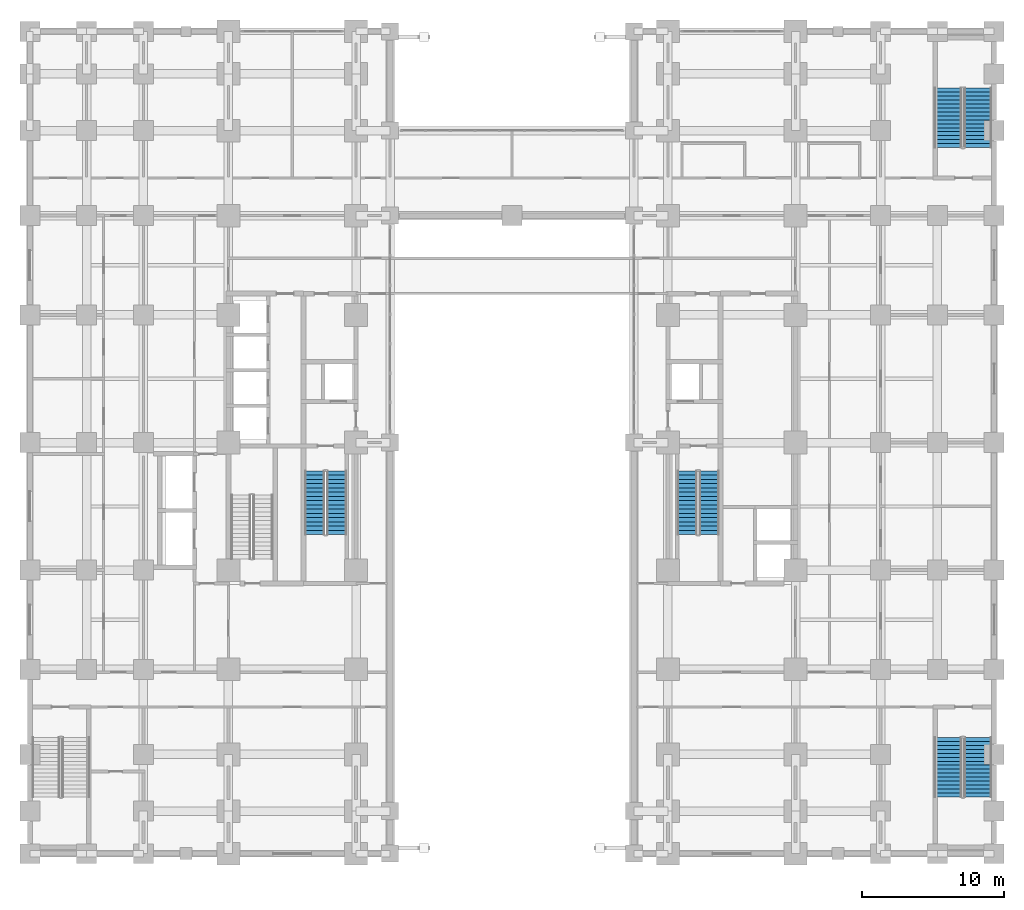
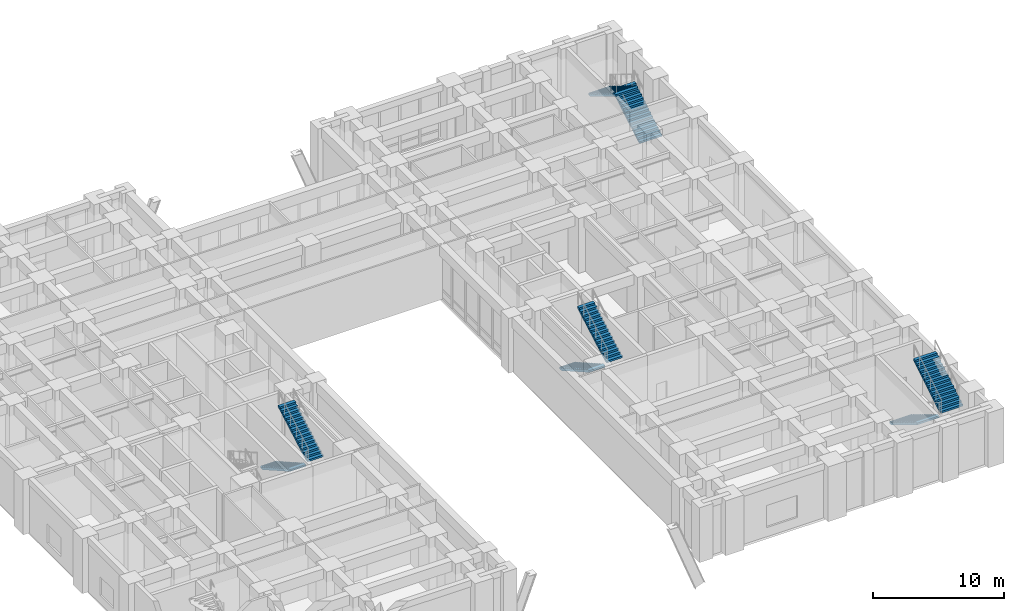
# One storey, part 17 of 23: 8 stair flights, 4 elements without a shape of their own.
"""IFC4 building model written with IfcOpenShell, lengths in metres."""

from ifc_helpers import new_model, si_unit, direction, frame, origin, place, context, subcontext, project, spatial, polyline, outline, extrude, material, layer, layer_set, type_object, element, aggregate, save


model = new_model("IFC4")

# Units and contexts
model_context = context("Model", 3, precision=1e-05, world=origin(), true_north=direction((0.0, 1.0)))
body_context = subcontext(model_context, "Body", "Model", "MODEL_VIEW")
ifc_project = project(units=[si_unit("LENGTHUNIT", "METRE"), si_unit("AREAUNIT", "SQUARE_METRE"), si_unit("VOLUMEUNIT", "CUBIC_METRE"), si_unit("PLANEANGLEUNIT", "RADIAN"), si_unit("MASSUNIT", "GRAM", prefix="KILO")], contexts=[model_context])

# Site, building, storey
site_placement = place(None, origin())
site = spatial("IfcSite", under=ifc_project, at=site_placement, CompositionType="ELEMENT")
building_placement = place(site_placement, origin())
building = spatial("IfcBuilding", under=site, at=building_placement, Name="Zulmaris Gate Convention Tower", CompositionType="ELEMENT")
storey_placement = place(building_placement, frame((0.0, 0.0, 10.8798828125)))
storey = spatial("IfcBuildingStorey", under=building, at=storey_placement, Name="L02", CompositionType="ELEMENT", Elevation=10.8798828125)

# Stair, stair flights
ifc_material = material(Name="Concrete C45/55", Category="concrete")
stair_type_1 = type_object("IfcStairType", Name="ST-CORE-DOGLEG", PredefinedType="HALF_TURN_STAIR", material=ifc_material)
stair_1_placement = place(storey_placement, origin())
stair_1 = element("IfcStair", 1, at=stair_1_placement, inside=storey, type_object=stair_type_1, Name="L02 Core Exit Stair ST-1", PredefinedType="HALF_TURN_STAIR")
ifc_layer_1 = layer(ifc_material, 0.14990234375, Name="Concrete C45/55")
ifc_layer_set_1 = layer_set([ifc_layer_1], Name="Concrete C45/55")
stair_flight_type_1 = type_object("IfcStairFlightType", Name="STF-RC150", PredefinedType="STRAIGHT", material=ifc_layer_set_1)
stair_flight_1_placement = place(storey_placement, frame((-13.919921875, -2.0, 0.0), z_axis=(0.0, 0.0, 1.0), x_axis=(0.0, -1.0, 0.0)))
stair_flight_1 = element("IfcStairFlight", 2, at=stair_flight_1_placement, type_object=stair_flight_type_1, Name="ST-1 flight 1", NumberOfRisers=16, NumberOfTreads=15, PredefinedType="STRAIGHT", RiserHeight=0.17000625, TreadLength=0.3, context=body_context, shape_type="SweptSolid", body=[
    extrude(outline(polyline([(0.0, 0.0), (0.0, 0.169921875), (0.300048828125, 0.169921875), (0.300048828125, 0.340087890625), (0.60009765625, 0.340087890625), (0.60009765625, 0.510009765625), (0.89990234375, 0.510009765625), (0.89990234375, 0.679931640625), (1.199951171875, 0.679931640625), (1.199951171875, 0.85009765625), (1.5, 0.85009765625), (1.5, 1.02001953125), (1.800048828125, 1.02001953125), (1.800048828125, 1.18994140625), (2.10009765625, 1.18994140625), (2.10009765625, 1.360107421875), (2.39990234375, 1.360107421875), (2.39990234375, 1.530029296875), (2.699951171875, 1.530029296875), (2.699951171875, 1.699951171875), (3.0, 1.699951171875), (3.0, 1.8701171875), (3.300048828125, 1.8701171875), (3.300048828125, 2.0400390625), (3.60009765625, 2.0400390625), (3.60009765625, 2.2099609375), (3.89990234375, 2.2099609375), (3.89990234375, 2.380126953125), (4.199951171875, 2.380126953125), (4.199951171875, 2.550048828125), (4.5, 2.550048828125), (4.5, 2.72021484375), (4.5, 2.377685546875), (0.303955078125, 0.0), (0.0, 0.0)])), frame((0.0, 0.699951171875, 0.0), z_axis=(0.0, -1.0, 0.0), x_axis=(1.0, 0.0, 0.0)), (0.0, 0.0, 1.0), 1.39990234375),
])
stair_flight_2_placement = place(storey_placement, frame((-12.360107421875, -6.5, 2.72021484375), z_axis=(0.0, 0.0, 1.0), x_axis=(0.0, 1.0, 0.0)))
stair_flight_2 = element("IfcStairFlight", 3, at=stair_flight_2_placement, type_object=stair_flight_type_1, Name="ST-1 flight 2", NumberOfRisers=16, NumberOfTreads=15, PredefinedType="STRAIGHT", RiserHeight=0.17000625, TreadLength=0.3, context=body_context, shape_type="SweptSolid", body=[
    extrude(outline(polyline([(0.0, 0.0), (0.0, 0.169921875), (0.300048828125, 0.169921875), (0.300048828125, 0.340087890625), (0.60009765625, 0.340087890625), (0.60009765625, 0.510009765625), (0.89990234375, 0.510009765625), (0.89990234375, 0.679931640625), (1.199951171875, 0.679931640625), (1.199951171875, 0.85009765625), (1.5, 0.85009765625), (1.5, 1.02001953125), (1.800048828125, 1.02001953125), (1.800048828125, 1.18994140625), (2.10009765625, 1.18994140625), (2.10009765625, 1.360107421875), (2.39990234375, 1.360107421875), (2.39990234375, 1.530029296875), (2.699951171875, 1.530029296875), (2.699951171875, 1.699951171875), (3.0, 1.699951171875), (3.0, 1.8701171875), (3.300048828125, 1.8701171875), (3.300048828125, 2.0400390625), (3.60009765625, 2.0400390625), (3.60009765625, 2.2099609375), (3.89990234375, 2.2099609375), (3.89990234375, 2.380126953125), (4.199951171875, 2.380126953125), (4.199951171875, 2.550048828125), (4.5, 2.550048828125), (4.5, 2.72021484375), (4.5, 2.377685546875), (0.303955078125, 0.0), (0.0, 0.0)])), frame((0.0, 0.699951171875, 0.0), z_axis=(0.0, -1.0, 0.0), x_axis=(1.0, 0.0, 0.0)), (0.0, 0.0, 1.0), 1.39990234375),
])
aggregate(stair_1, [stair_flight_1, stair_flight_2])

stair_2_placement = place(storey_placement, origin())
stair_2 = element("IfcStair", 4, at=stair_2_placement, inside=storey, type_object=stair_type_1, Name="L02 Core Exit Stair ST-2", PredefinedType="HALF_TURN_STAIR")
stair_flight_3_placement = place(storey_placement, frame((12.360107421875, -2.0, 0.0), z_axis=(0.0, 0.0, 1.0), x_axis=(0.0, -1.0, 0.0)))
stair_flight_3 = element("IfcStairFlight", 5, at=stair_flight_3_placement, type_object=stair_flight_type_1, Name="ST-2 flight 1", NumberOfRisers=16, NumberOfTreads=15, PredefinedType="STRAIGHT", RiserHeight=0.17000625, TreadLength=0.3, context=body_context, shape_type="SweptSolid", body=[
    extrude(outline(polyline([(0.0, 0.0), (0.0, 0.169921875), (0.300048828125, 0.169921875), (0.300048828125, 0.340087890625), (0.60009765625, 0.340087890625), (0.60009765625, 0.510009765625), (0.89990234375, 0.510009765625), (0.89990234375, 0.679931640625), (1.199951171875, 0.679931640625), (1.199951171875, 0.85009765625), (1.5, 0.85009765625), (1.5, 1.02001953125), (1.800048828125, 1.02001953125), (1.800048828125, 1.18994140625), (2.10009765625, 1.18994140625), (2.10009765625, 1.360107421875), (2.39990234375, 1.360107421875), (2.39990234375, 1.530029296875), (2.699951171875, 1.530029296875), (2.699951171875, 1.699951171875), (3.0, 1.699951171875), (3.0, 1.8701171875), (3.300048828125, 1.8701171875), (3.300048828125, 2.0400390625), (3.60009765625, 2.0400390625), (3.60009765625, 2.2099609375), (3.89990234375, 2.2099609375), (3.89990234375, 2.380126953125), (4.199951171875, 2.380126953125), (4.199951171875, 2.550048828125), (4.5, 2.550048828125), (4.5, 2.72021484375), (4.5, 2.377685546875), (0.303955078125, 0.0), (0.0, 0.0)])), frame((0.0, 0.699951171875, 0.0), z_axis=(0.0, -1.0, 0.0), x_axis=(1.0, 0.0, 0.0)), (0.0, 0.0, 1.0), 1.39990234375),
])
stair_flight_4_placement = place(storey_placement, frame((13.919921875, -6.5, 2.72021484375), z_axis=(0.0, 0.0, 1.0), x_axis=(0.0, 1.0, 0.0)))
stair_flight_4 = element("IfcStairFlight", 6, at=stair_flight_4_placement, type_object=stair_flight_type_1, Name="ST-2 flight 2", NumberOfRisers=16, NumberOfTreads=15, PredefinedType="STRAIGHT", RiserHeight=0.17000625, TreadLength=0.3, context=body_context, shape_type="SweptSolid", body=[
    extrude(outline(polyline([(0.0, 0.0), (0.0, 0.169921875), (0.300048828125, 0.169921875), (0.300048828125, 0.340087890625), (0.60009765625, 0.340087890625), (0.60009765625, 0.510009765625), (0.89990234375, 0.510009765625), (0.89990234375, 0.679931640625), (1.199951171875, 0.679931640625), (1.199951171875, 0.85009765625), (1.5, 0.85009765625), (1.5, 1.02001953125), (1.800048828125, 1.02001953125), (1.800048828125, 1.18994140625), (2.10009765625, 1.18994140625), (2.10009765625, 1.360107421875), (2.39990234375, 1.360107421875), (2.39990234375, 1.530029296875), (2.699951171875, 1.530029296875), (2.699951171875, 1.699951171875), (3.0, 1.699951171875), (3.0, 1.8701171875), (3.300048828125, 1.8701171875), (3.300048828125, 2.0400390625), (3.60009765625, 2.0400390625), (3.60009765625, 2.2099609375), (3.89990234375, 2.2099609375), (3.89990234375, 2.380126953125), (4.199951171875, 2.380126953125), (4.199951171875, 2.550048828125), (4.5, 2.550048828125), (4.5, 2.72021484375), (4.5, 2.377685546875), (0.303955078125, 0.0), (0.0, 0.0)])), frame((0.0, 0.699951171875, 0.0), z_axis=(0.0, -1.0, 0.0), x_axis=(1.0, 0.0, 0.0)), (0.0, 0.0, 1.0), 1.39990234375),
])
aggregate(stair_2, [stair_flight_3, stair_flight_4])

stair_type_2 = type_object("IfcStairType", Name="ST-POD-DOGLEG", PredefinedType="HALF_TURN_STAIR", material=ifc_material)
stair_3_placement = place(storey_placement, origin())
stair_3 = element("IfcStair", 7, at=stair_3_placement, inside=storey, type_object=stair_type_2, Name="L02 Podium Exit Stair ST-5", PredefinedType="HALF_TURN_STAIR")
ifc_layer_2 = layer(ifc_material, 0.159912109375, Name="Concrete C45/55")
ifc_layer_set_2 = layer_set([ifc_layer_2], Name="Concrete C45/55")
stair_flight_type_2 = type_object("IfcStairFlightType", Name="STF-RC195", PredefinedType="STRAIGHT", material=ifc_layer_set_2)
stair_flight_5_placement = place(storey_placement, frame((32.85498046875, 20.800048828125, 0.0), z_axis=(0.0, 0.0, 1.0), x_axis=(0.0, 1.0, 0.0)))
stair_flight_5 = element("IfcStairFlight", 8, at=stair_flight_5_placement, type_object=stair_flight_type_2, Name="ST-5 flight 1", NumberOfRisers=16, NumberOfTreads=15, PredefinedType="STRAIGHT", RiserHeight=0.17000625, TreadLength=0.28, context=body_context, shape_type="SweptSolid", body=[
    extrude(outline(polyline([(0.0, 0.0), (0.0, 0.169921875), (0.280029296875, 0.169921875), (0.280029296875, 0.340087890625), (0.56005859375, 0.340087890625), (0.56005859375, 0.510009765625), (0.840087890625, 0.510009765625), (0.840087890625, 0.679931640625), (1.1201171875, 0.679931640625), (1.1201171875, 0.85009765625), (1.39990234375, 0.85009765625), (1.39990234375, 1.02001953125), (1.679931640625, 1.02001953125), (1.679931640625, 1.18994140625), (1.9599609375, 1.18994140625), (1.9599609375, 1.360107421875), (2.239990234375, 1.360107421875), (2.239990234375, 1.530029296875), (2.52001953125, 1.530029296875), (2.52001953125, 1.699951171875), (2.800048828125, 1.699951171875), (2.800048828125, 1.8701171875), (3.080078125, 1.8701171875), (3.080078125, 2.0400390625), (3.360107421875, 2.0400390625), (3.360107421875, 2.2099609375), (3.639892578125, 2.2099609375), (3.639892578125, 2.380126953125), (3.919921875, 2.380126953125), (3.919921875, 2.550048828125), (4.199951171875, 2.550048828125), (4.199951171875, 2.72021484375), (4.199951171875, 2.374755859375), (0.288818359375, 0.0), (0.0, 0.0)])), frame((0.0, 0.97509765625, 0.0), z_axis=(0.0, -1.0, 0.0), x_axis=(1.0, 0.0, 0.0)), (0.0, 0.0, 1.0), 1.949951171875),
])
stair_flight_6_placement = place(storey_placement, frame((30.7548828125, 25.0, 2.72021484375), z_axis=(0.0, 0.0, 1.0), x_axis=(0.0, -1.0, 0.0)))
stair_flight_6 = element("IfcStairFlight", 9, at=stair_flight_6_placement, type_object=stair_flight_type_2, Name="ST-5 flight 2", NumberOfRisers=16, NumberOfTreads=15, PredefinedType="STRAIGHT", RiserHeight=0.17000625, TreadLength=0.28, context=body_context, shape_type="SweptSolid", body=[
    extrude(outline(polyline([(0.0, 0.0), (0.0, 0.169921875), (0.280029296875, 0.169921875), (0.280029296875, 0.340087890625), (0.56005859375, 0.340087890625), (0.56005859375, 0.510009765625), (0.840087890625, 0.510009765625), (0.840087890625, 0.679931640625), (1.1201171875, 0.679931640625), (1.1201171875, 0.85009765625), (1.39990234375, 0.85009765625), (1.39990234375, 1.02001953125), (1.679931640625, 1.02001953125), (1.679931640625, 1.18994140625), (1.9599609375, 1.18994140625), (1.9599609375, 1.360107421875), (2.239990234375, 1.360107421875), (2.239990234375, 1.530029296875), (2.52001953125, 1.530029296875), (2.52001953125, 1.699951171875), (2.800048828125, 1.699951171875), (2.800048828125, 1.8701171875), (3.080078125, 1.8701171875), (3.080078125, 2.0400390625), (3.360107421875, 2.0400390625), (3.360107421875, 2.2099609375), (3.639892578125, 2.2099609375), (3.639892578125, 2.380126953125), (3.919921875, 2.380126953125), (3.919921875, 2.550048828125), (4.199951171875, 2.550048828125), (4.199951171875, 2.72021484375), (4.199951171875, 2.374755859375), (0.288818359375, 0.0), (0.0, 0.0)])), frame((0.0, 0.97509765625, 0.0), z_axis=(0.0, -1.0, 0.0), x_axis=(1.0, 0.0, 0.0)), (0.0, 0.0, 1.0), 1.949951171875),
])
aggregate(stair_3, [stair_flight_5, stair_flight_6])

stair_4_placement = place(storey_placement, origin())
stair_4 = element("IfcStair", 10, at=stair_4_placement, inside=storey, type_object=stair_type_2, Name="L02 Podium Exit Stair ST-6", PredefinedType="HALF_TURN_STAIR")
stair_flight_7_placement = place(storey_placement, frame((30.7548828125, -20.800048828125, 0.0), z_axis=(0.0, 0.0, 1.0), x_axis=(0.0, -1.0, 0.0)))
stair_flight_7 = element("IfcStairFlight", 11, at=stair_flight_7_placement, type_object=stair_flight_type_2, Name="ST-6 flight 1", NumberOfRisers=16, NumberOfTreads=15, PredefinedType="STRAIGHT", RiserHeight=0.17000625, TreadLength=0.28, context=body_context, shape_type="SweptSolid", body=[
    extrude(outline(polyline([(0.0, 0.0), (0.0, 0.169921875), (0.280029296875, 0.169921875), (0.280029296875, 0.340087890625), (0.56005859375, 0.340087890625), (0.56005859375, 0.510009765625), (0.840087890625, 0.510009765625), (0.840087890625, 0.679931640625), (1.1201171875, 0.679931640625), (1.1201171875, 0.85009765625), (1.39990234375, 0.85009765625), (1.39990234375, 1.02001953125), (1.679931640625, 1.02001953125), (1.679931640625, 1.18994140625), (1.9599609375, 1.18994140625), (1.9599609375, 1.360107421875), (2.239990234375, 1.360107421875), (2.239990234375, 1.530029296875), (2.52001953125, 1.530029296875), (2.52001953125, 1.699951171875), (2.800048828125, 1.699951171875), (2.800048828125, 1.8701171875), (3.080078125, 1.8701171875), (3.080078125, 2.0400390625), (3.360107421875, 2.0400390625), (3.360107421875, 2.2099609375), (3.639892578125, 2.2099609375), (3.639892578125, 2.380126953125), (3.919921875, 2.380126953125), (3.919921875, 2.550048828125), (4.199951171875, 2.550048828125), (4.199951171875, 2.72021484375), (4.199951171875, 2.374755859375), (0.288818359375, 0.0), (0.0, 0.0)])), frame((0.0, 0.97509765625, 0.0), z_axis=(0.0, -1.0, 0.0), x_axis=(1.0, 0.0, 0.0)), (0.0, 0.0, 1.0), 1.949951171875),
])
stair_flight_8_placement = place(storey_placement, frame((32.85498046875, -25.0, 2.72021484375), z_axis=(0.0, 0.0, 1.0), x_axis=(0.0, 1.0, 0.0)))
stair_flight_8 = element("IfcStairFlight", 12, at=stair_flight_8_placement, type_object=stair_flight_type_2, Name="ST-6 flight 2", NumberOfRisers=16, NumberOfTreads=15, PredefinedType="STRAIGHT", RiserHeight=0.17000625, TreadLength=0.28, context=body_context, shape_type="SweptSolid", body=[
    extrude(outline(polyline([(0.0, 0.0), (0.0, 0.169921875), (0.280029296875, 0.169921875), (0.280029296875, 0.340087890625), (0.56005859375, 0.340087890625), (0.56005859375, 0.510009765625), (0.840087890625, 0.510009765625), (0.840087890625, 0.679931640625), (1.1201171875, 0.679931640625), (1.1201171875, 0.85009765625), (1.39990234375, 0.85009765625), (1.39990234375, 1.02001953125), (1.679931640625, 1.02001953125), (1.679931640625, 1.18994140625), (1.9599609375, 1.18994140625), (1.9599609375, 1.360107421875), (2.239990234375, 1.360107421875), (2.239990234375, 1.530029296875), (2.52001953125, 1.530029296875), (2.52001953125, 1.699951171875), (2.800048828125, 1.699951171875), (2.800048828125, 1.8701171875), (3.080078125, 1.8701171875), (3.080078125, 2.0400390625), (3.360107421875, 2.0400390625), (3.360107421875, 2.2099609375), (3.639892578125, 2.2099609375), (3.639892578125, 2.380126953125), (3.919921875, 2.380126953125), (3.919921875, 2.550048828125), (4.199951171875, 2.550048828125), (4.199951171875, 2.72021484375), (4.199951171875, 2.374755859375), (0.288818359375, 0.0), (0.0, 0.0)])), frame((0.0, 0.97509765625, 0.0), z_axis=(0.0, -1.0, 0.0), x_axis=(1.0, 0.0, 0.0)), (0.0, 0.0, 1.0), 1.949951171875),
])
aggregate(stair_4, [stair_flight_7, stair_flight_8])

save(model, "model.ifc")
